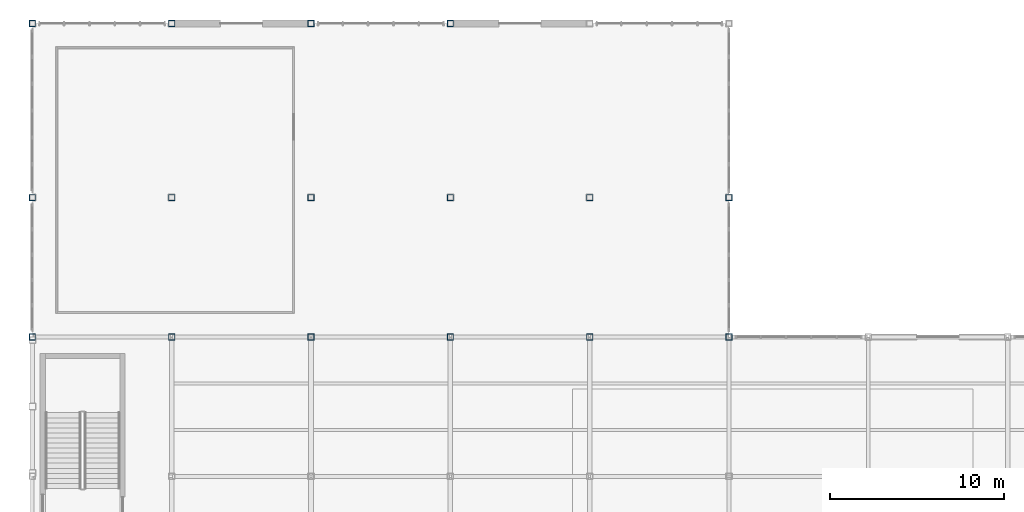
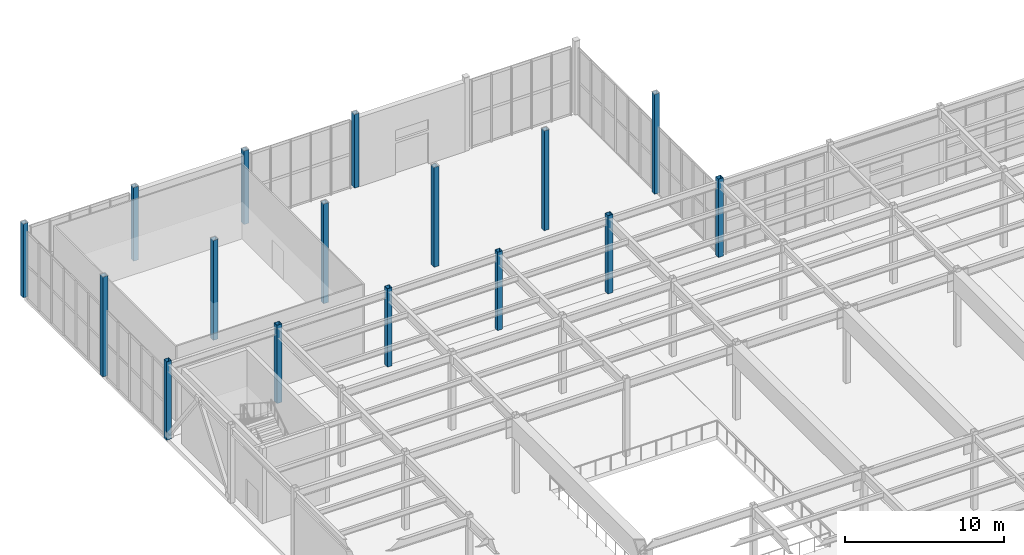
# One storey, part 15 of 82: 16 columns.
"""IFC4 building model written with IfcOpenShell, lengths in metres."""

from ifc_helpers import new_model, si_unit, direction, frame, origin, origin_2d, place, context, subcontext, project, spatial, hollow_rectangle, extrude, material, material_profile, profile_set, type_object, element, save


model = new_model("IFC4")

# Units and contexts
model_context = context("Model", 3, precision=1e-05, world=origin(), true_north=direction((0.0, 1.0)))
body_context = subcontext(model_context, "Body", "Model", "MODEL_VIEW")
ifc_project = project(units=[si_unit("LENGTHUNIT", "METRE"), si_unit("AREAUNIT", "SQUARE_METRE"), si_unit("VOLUMEUNIT", "CUBIC_METRE"), si_unit("PLANEANGLEUNIT", "RADIAN"), si_unit("MASSUNIT", "GRAM", prefix="KILO")], contexts=[model_context])

# Site, building, storey
site_placement = place(None, origin())
site = spatial("IfcSite", under=ifc_project, at=site_placement, CompositionType="ELEMENT")
building_placement = place(site_placement, origin())
building = spatial("IfcBuilding", under=site, at=building_placement, Name="Drelvath Fold Interchange", CompositionType="ELEMENT")
storey_placement = place(building_placement, origin())
storey = spatial("IfcBuildingStorey", under=building, at=storey_placement, Name="L00", CompositionType="ELEMENT", Elevation=0.0)

# Columns
ifc_material = material(Name="Steel ASTM A500 Grade C", Category="steel")
ifc_material_profile = material_profile(ifc_material, hollow_rectangle(XDim=0.35595703125, YDim=0.35595703125, WallThickness=0.014892578125, at=origin_2d()), Name="HSS14X14X5/8")
ifc_profile_set = profile_set([ifc_material_profile], Name="Steel ASTM A500 Grade C")
column_type = type_object("IfcColumnType", Name="COL-HSS356", PredefinedType="COLUMN", material=ifc_profile_set)
column_1_placement = place(storey_placement, frame((4.0, 99.0, 0.0), z_axis=(0.0, 0.0, 1.0), x_axis=(1.0, 0.0, 0.0)))
element("IfcColumn", 1, at=column_1_placement, inside=storey, type_object=column_type, Name="L00 column (4,99)", PredefinedType="COLUMN", context=body_context, shape_type="SweptSolid", body=[
    extrude(hollow_rectangle(XDim=0.35595703125, YDim=0.35595703125, WallThickness=0.014892578125, at=origin_2d()), origin(), (0.0, 0.0, 1.0), 6.0),
])
column_2_placement = place(storey_placement, frame((4.0, 107.0, 0.0), z_axis=(0.0, 0.0, 1.0), x_axis=(1.0, 0.0, 0.0)))
element("IfcColumn", 2, at=column_2_placement, inside=storey, type_object=column_type, Name="L00 column (4,107)", PredefinedType="COLUMN", context=body_context, shape_type="SweptSolid", body=[
    extrude(hollow_rectangle(XDim=0.35595703125, YDim=0.35595703125, WallThickness=0.014892578125, at=origin_2d()), origin(), (0.0, 0.0, 1.0), 7.64990234375),
])
column_3_placement = place(storey_placement, frame((4.0, 117.0, 0.0), z_axis=(0.0, 0.0, 1.0), x_axis=(1.0, 0.0, 0.0)))
element("IfcColumn", 3, at=column_3_placement, inside=storey, type_object=column_type, Name="L00 column (4,117)", PredefinedType="COLUMN", context=body_context, shape_type="SweptSolid", body=[
    extrude(hollow_rectangle(XDim=0.35595703125, YDim=0.35595703125, WallThickness=0.014892578125, at=origin_2d()), origin(), (0.0, 0.0, 1.0), 5.64990234375),
])
column_4_placement = place(storey_placement, frame((12.0, 99.0, 0.0), z_axis=(0.0, 0.0, 1.0), x_axis=(1.0, 0.0, 0.0)))
element("IfcColumn", 4, at=column_4_placement, inside=storey, type_object=column_type, Name="L00 column (12,99)", PredefinedType="COLUMN", context=body_context, shape_type="SweptSolid", body=[
    extrude(hollow_rectangle(XDim=0.35595703125, YDim=0.35595703125, WallThickness=0.014892578125, at=origin_2d()), origin(), (0.0, 0.0, 1.0), 6.0),
])
column_5_placement = place(storey_placement, frame((12.0, 107.0, 0.0), z_axis=(0.0, 0.0, 1.0), x_axis=(1.0, 0.0, 0.0)))
element("IfcColumn", 5, at=column_5_placement, inside=storey, type_object=column_type, Name="L00 column (12,107)", PredefinedType="COLUMN", context=body_context, shape_type="SweptSolid", body=[
    extrude(hollow_rectangle(XDim=0.35595703125, YDim=0.35595703125, WallThickness=0.014892578125, at=origin_2d()), origin(), (0.0, 0.0, 1.0), 7.64990234375),
])
column_6_placement = place(storey_placement, frame((12.0, 117.0, 0.0), z_axis=(0.0, 0.0, 1.0), x_axis=(1.0, 0.0, 0.0)))
element("IfcColumn", 6, at=column_6_placement, inside=storey, type_object=column_type, Name="L00 column (12,117)", PredefinedType="COLUMN", context=body_context, shape_type="SweptSolid", body=[
    extrude(hollow_rectangle(XDim=0.35595703125, YDim=0.35595703125, WallThickness=0.014892578125, at=origin_2d()), origin(), (0.0, 0.0, 1.0), 5.64990234375),
])
column_7_placement = place(storey_placement, frame((20.0, 99.0, 0.0), z_axis=(0.0, 0.0, 1.0), x_axis=(1.0, 0.0, 0.0)))
element("IfcColumn", 7, at=column_7_placement, inside=storey, type_object=column_type, Name="L00 column (20,99)", PredefinedType="COLUMN", context=body_context, shape_type="SweptSolid", body=[
    extrude(hollow_rectangle(XDim=0.35595703125, YDim=0.35595703125, WallThickness=0.014892578125, at=origin_2d()), origin(), (0.0, 0.0, 1.0), 6.0),
])
column_8_placement = place(storey_placement, frame((20.0, 107.0, 0.0), z_axis=(0.0, 0.0, 1.0), x_axis=(1.0, 0.0, 0.0)))
element("IfcColumn", 8, at=column_8_placement, inside=storey, type_object=column_type, Name="L00 column (20,107)", PredefinedType="COLUMN", context=body_context, shape_type="SweptSolid", body=[
    extrude(hollow_rectangle(XDim=0.35595703125, YDim=0.35595703125, WallThickness=0.014892578125, at=origin_2d()), origin(), (0.0, 0.0, 1.0), 7.64990234375),
])
column_9_placement = place(storey_placement, frame((20.0, 117.0, 0.0), z_axis=(0.0, 0.0, 1.0), x_axis=(1.0, 0.0, 0.0)))
element("IfcColumn", 9, at=column_9_placement, inside=storey, type_object=column_type, Name="L00 column (20,117)", PredefinedType="COLUMN", context=body_context, shape_type="SweptSolid", body=[
    extrude(hollow_rectangle(XDim=0.35595703125, YDim=0.35595703125, WallThickness=0.014892578125, at=origin_2d()), origin(), (0.0, 0.0, 1.0), 5.64990234375),
])
column_10_placement = place(storey_placement, frame((28.0, 99.0, 0.0), z_axis=(0.0, 0.0, 1.0), x_axis=(1.0, 0.0, 0.0)))
element("IfcColumn", 10, at=column_10_placement, inside=storey, type_object=column_type, Name="L00 column (28,99)", PredefinedType="COLUMN", context=body_context, shape_type="SweptSolid", body=[
    extrude(hollow_rectangle(XDim=0.35595703125, YDim=0.35595703125, WallThickness=0.014892578125, at=origin_2d()), origin(), (0.0, 0.0, 1.0), 6.0),
])
column_11_placement = place(storey_placement, frame((28.0, 107.0, 0.0), z_axis=(0.0, 0.0, 1.0), x_axis=(1.0, 0.0, 0.0)))
element("IfcColumn", 11, at=column_11_placement, inside=storey, type_object=column_type, Name="L00 column (28,107)", PredefinedType="COLUMN", context=body_context, shape_type="SweptSolid", body=[
    extrude(hollow_rectangle(XDim=0.35595703125, YDim=0.35595703125, WallThickness=0.014892578125, at=origin_2d()), origin(), (0.0, 0.0, 1.0), 7.64990234375),
])
column_12_placement = place(storey_placement, frame((28.0, 117.0, 0.0), z_axis=(0.0, 0.0, 1.0), x_axis=(1.0, 0.0, 0.0)))
element("IfcColumn", 12, at=column_12_placement, inside=storey, type_object=column_type, Name="L00 column (28,117)", PredefinedType="COLUMN", context=body_context, shape_type="SweptSolid", body=[
    extrude(hollow_rectangle(XDim=0.35595703125, YDim=0.35595703125, WallThickness=0.014892578125, at=origin_2d()), origin(), (0.0, 0.0, 1.0), 5.64990234375),
])
column_13_placement = place(storey_placement, frame((36.0, 99.0, 0.0), z_axis=(0.0, 0.0, 1.0), x_axis=(1.0, 0.0, 0.0)))
element("IfcColumn", 13, at=column_13_placement, inside=storey, type_object=column_type, Name="L00 column (36,99)", PredefinedType="COLUMN", context=body_context, shape_type="SweptSolid", body=[
    extrude(hollow_rectangle(XDim=0.35595703125, YDim=0.35595703125, WallThickness=0.014892578125, at=origin_2d()), origin(), (0.0, 0.0, 1.0), 6.0),
])
column_14_placement = place(storey_placement, frame((36.0, 107.0, 0.0), z_axis=(0.0, 0.0, 1.0), x_axis=(1.0, 0.0, 0.0)))
element("IfcColumn", 14, at=column_14_placement, inside=storey, type_object=column_type, Name="L00 column (36,107)", PredefinedType="COLUMN", context=body_context, shape_type="SweptSolid", body=[
    extrude(hollow_rectangle(XDim=0.35595703125, YDim=0.35595703125, WallThickness=0.014892578125, at=origin_2d()), origin(), (0.0, 0.0, 1.0), 7.64990234375),
])
column_15_placement = place(storey_placement, frame((44.0, 99.0, 0.0), z_axis=(0.0, 0.0, 1.0), x_axis=(1.0, 0.0, 0.0)))
element("IfcColumn", 15, at=column_15_placement, inside=storey, type_object=column_type, Name="L00 column (44,99)", PredefinedType="COLUMN", context=body_context, shape_type="SweptSolid", body=[
    extrude(hollow_rectangle(XDim=0.35595703125, YDim=0.35595703125, WallThickness=0.014892578125, at=origin_2d()), origin(), (0.0, 0.0, 1.0), 6.0),
])
column_16_placement = place(storey_placement, frame((44.0, 107.0, 0.0), z_axis=(0.0, 0.0, 1.0), x_axis=(1.0, 0.0, 0.0)))
element("IfcColumn", 16, at=column_16_placement, inside=storey, type_object=column_type, Name="L00 column (44,107)", PredefinedType="COLUMN", context=body_context, shape_type="SweptSolid", body=[
    extrude(hollow_rectangle(XDim=0.35595703125, YDim=0.35595703125, WallThickness=0.014892578125, at=origin_2d()), origin(), (0.0, 0.0, 1.0), 7.64990234375),
])

save(model, "model.ifc")
